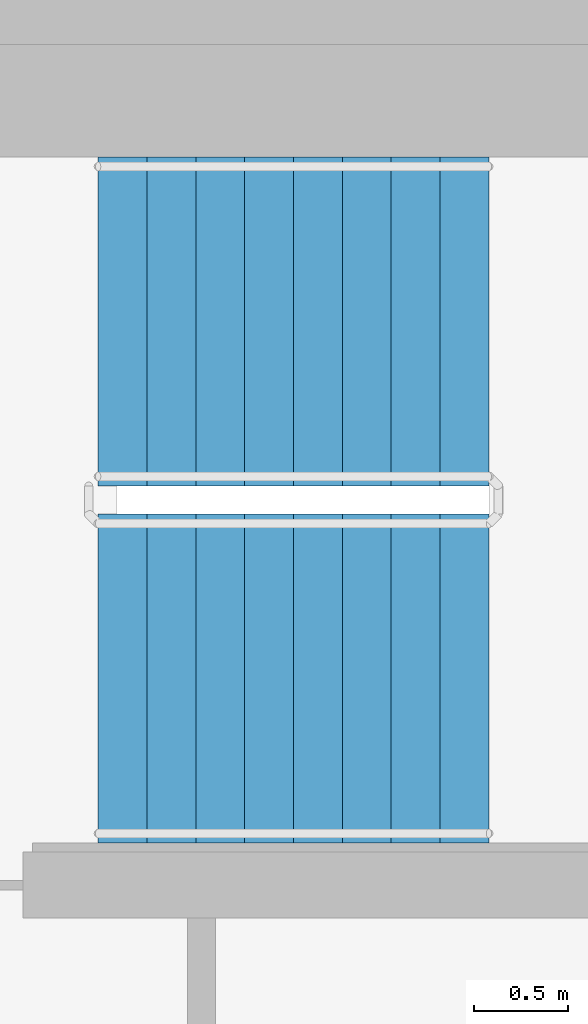
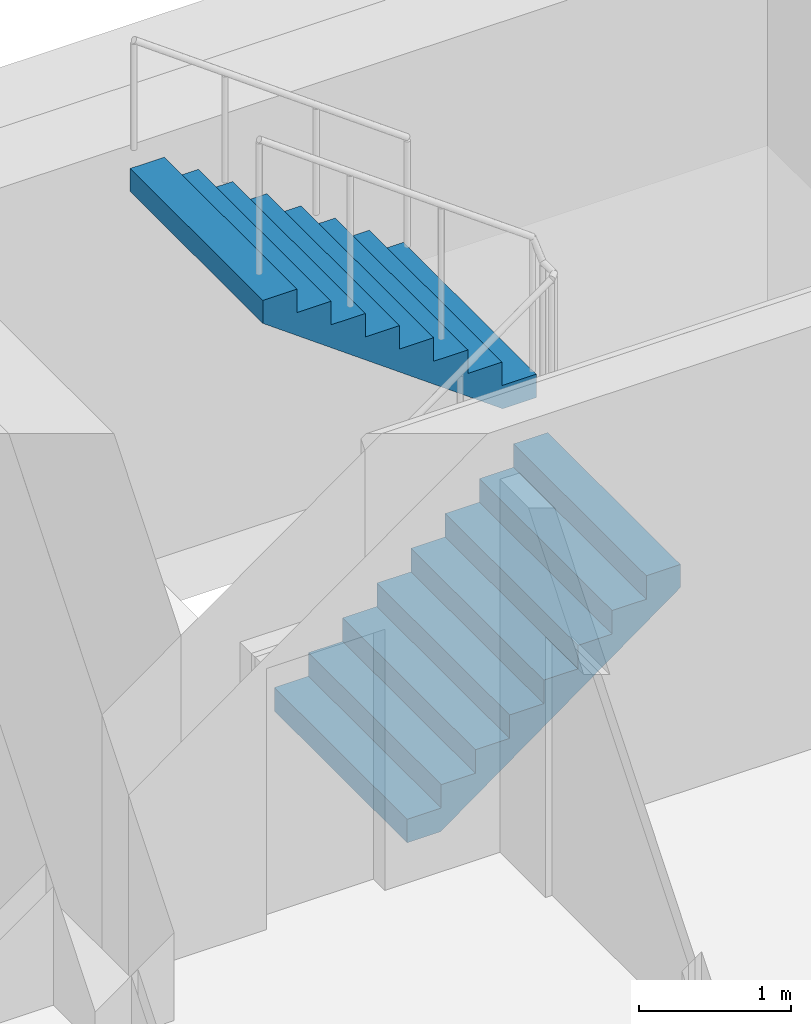
# One storey, part 13 of 18: 2 stair flights, 1 element without a shape of its own.
"""IFC4 building model written with IfcOpenShell, lengths in metres."""

from ifc_helpers import new_model, si_unit, direction, frame, origin, place, context, subcontext, project, spatial, faceted_brep, material, type_object, element, aggregate, save


model = new_model("IFC4")

# Units and contexts
model_context = context("Model", 3, precision=1e-05, world=origin(), true_north=direction((0.0, 1.0)))
body_context = subcontext(model_context, "Body", "Model", "MODEL_VIEW")
ifc_project = project(units=[si_unit("LENGTHUNIT", "METRE"), si_unit("AREAUNIT", "SQUARE_METRE"), si_unit("VOLUMEUNIT", "CUBIC_METRE"), si_unit("PLANEANGLEUNIT", "RADIAN"), si_unit("MASSUNIT", "GRAM", prefix="KILO")], contexts=[model_context])

# Site, building, storey
site_placement = place(None, origin())
site = spatial("IfcSite", under=ifc_project, at=site_placement, CompositionType="ELEMENT")
building_placement = place(site_placement, origin())
building = spatial("IfcBuilding", under=site, at=building_placement, Name="Ipe Terrace Towers", CompositionType="ELEMENT")
storey_placement = place(building_placement, frame((0.0, 0.0, 209.60009765625)))
storey = spatial("IfcBuildingStorey", under=building, at=storey_placement, Name="L58", CompositionType="ELEMENT", Elevation=209.60009765625)

# Stair, stair flights
ifc_material_1 = material(Name="Concrete C30/37", Category="concrete")
stair_type = type_object("IfcStairType", Name="Protected exit stair", PredefinedType="HALF_TURN_STAIR", material=ifc_material_1)
stair_placement = place(storey_placement, origin())
stair = element("IfcStair", 1, at=stair_placement, inside=storey, type_object=stair_type, Name="L58 Exit stair T1-C1", PredefinedType="HALF_TURN_STAIR")
ifc_material_2 = material(Name="Concrete C30/37", Category="concrete")
stair_flight_type = type_object("IfcStairFlightType", Name="Exit stair flight 1750", PredefinedType="STRAIGHT", material=ifc_material_2)
stair_flight_1_placement = place(storey_placement, frame((-26.300048828125, 2.77490234375, 0.0), z_axis=(0.0, 0.0, 1.0), x_axis=(1.0, 0.0, 0.0)))
stair_flight_1 = element("IfcStairFlight", 2, at=stair_flight_1_placement, type_object=stair_flight_type, Name="T1-ST1 flight 1", NumberOfRisers=9, NumberOfTreads=8, PredefinedType="STRAIGHT", RiserHeight=0.188888889, TreadLength=0.26, context=body_context, shape_type="Brep", body=[
    faceted_brep([(0.255126953125, -0.875, 0.0), (2.080078125, -0.875, 1.325927734375), (2.080078125, -0.875, 1.51123046875), (1.820068359375, -0.875, 1.51123046875), (1.820068359375, -0.875, 1.322265625), (1.56005859375, -0.875, 1.322265625), (1.56005859375, -0.875, 1.13330078125), (1.300048828125, -0.875, 1.13330078125), (1.300048828125, -0.875, 0.9443359375), (1.0400390625, -0.875, 0.9443359375), (1.0400390625, -0.875, 0.755615234375), (0.780029296875, -0.875, 0.755615234375), (0.780029296875, -0.875, 0.566650390625), (0.52001953125, -0.875, 0.566650390625), (0.52001953125, -0.875, 0.377685546875), (0.260009765625, -0.875, 0.377685546875), (0.260009765625, -0.875, 0.18896484375), (0.0, -0.875, 0.18896484375), (0.0, -0.875, 0.0), (0.0, 0.875, 0.0), (0.0, 0.875, 0.18896484375), (0.260009765625, 0.875, 0.18896484375), (0.260009765625, 0.875, 0.377685546875), (0.52001953125, 0.875, 0.377685546875), (0.52001953125, 0.875, 0.566650390625), (0.780029296875, 0.875, 0.566650390625), (0.780029296875, 0.875, 0.755615234375), (1.0400390625, 0.875, 0.755615234375), (1.0400390625, 0.875, 0.9443359375), (1.300048828125, 0.875, 0.9443359375), (1.300048828125, 0.875, 1.13330078125), (1.56005859375, 0.875, 1.13330078125), (1.56005859375, 0.875, 1.322265625), (1.820068359375, 0.875, 1.322265625), (1.820068359375, 0.875, 1.51123046875), (2.080078125, 0.875, 1.51123046875), (2.080078125, 0.875, 1.325927734375), (0.255126953125, 0.875, 0.0), (0.0, -0.300048828125, 0.18896484375), (0.0, -0.1201171875, 0.18896484375), (0.0, -0.06005859375, 0.18896484375), (0.0, -0.030029296875, 0.18896484375), (0.0, -0.010009765625, 0.18896484375), (0.0, 0.0, 0.18896484375), (0.0, 0.010009765625, 0.18896484375), (0.0, 0.030029296875, 0.18896484375), (0.0, 0.06005859375, 0.18896484375), (0.0, 0.1201171875, 0.18896484375), (0.0, 0.300048828125, 0.18896484375), (0.0, 0.300048828125, 0.0), (0.0, 0.1201171875, 0.0), (0.0, 0.06005859375, 0.0), (0.0, 0.030029296875, 0.0), (0.0, 0.010009765625, 0.0), (0.0, 0.0, 0.0), (0.0, -0.010009765625, 0.0), (0.0, -0.030029296875, 0.0), (0.0, -0.06005859375, 0.0), (0.0, -0.1201171875, 0.0), (0.0, -0.300048828125, 0.0), (0.260009765625, -0.300048828125, 0.18896484375), (0.260009765625, -0.1201171875, 0.18896484375), (0.260009765625, -0.06005859375, 0.18896484375), (0.260009765625, -0.030029296875, 0.18896484375), (0.260009765625, -0.010009765625, 0.18896484375), (0.260009765625, 0.0, 0.18896484375), (0.260009765625, 0.010009765625, 0.18896484375), (0.260009765625, 0.030029296875, 0.18896484375), (0.260009765625, 0.06005859375, 0.18896484375), (0.260009765625, 0.1201171875, 0.18896484375), (0.260009765625, 0.300048828125, 0.18896484375), (0.260009765625, -0.300048828125, 0.377685546875), (0.260009765625, -0.1201171875, 0.377685546875), (0.260009765625, -0.06005859375, 0.377685546875), (0.260009765625, -0.030029296875, 0.377685546875), (0.260009765625, -0.010009765625, 0.377685546875), (0.260009765625, 0.0, 0.377685546875), (0.260009765625, 0.010009765625, 0.377685546875), (0.260009765625, 0.030029296875, 0.377685546875), (0.260009765625, 0.06005859375, 0.377685546875), (0.260009765625, 0.1201171875, 0.377685546875), (0.260009765625, 0.300048828125, 0.377685546875), (0.52001953125, -0.300048828125, 0.377685546875), (0.52001953125, -0.1201171875, 0.377685546875), (0.52001953125, -0.06005859375, 0.377685546875), (0.52001953125, -0.030029296875, 0.377685546875), (0.52001953125, -0.010009765625, 0.377685546875), (0.52001953125, 0.0, 0.377685546875), (0.52001953125, 0.010009765625, 0.377685546875), (0.52001953125, 0.030029296875, 0.377685546875), (0.52001953125, 0.06005859375, 0.377685546875), (0.52001953125, 0.1201171875, 0.377685546875), (0.52001953125, 0.300048828125, 0.377685546875), (0.52001953125, -0.300048828125, 0.566650390625), (0.52001953125, -0.1201171875, 0.566650390625), (0.52001953125, -0.06005859375, 0.566650390625), (0.52001953125, -0.030029296875, 0.566650390625), (0.52001953125, -0.010009765625, 0.566650390625), (0.52001953125, 0.0, 0.566650390625), (0.52001953125, 0.010009765625, 0.566650390625), (0.52001953125, 0.030029296875, 0.566650390625), (0.52001953125, 0.06005859375, 0.566650390625), (0.52001953125, 0.1201171875, 0.566650390625), (0.52001953125, 0.300048828125, 0.566650390625), (0.780029296875, -0.300048828125, 0.566650390625), (0.780029296875, -0.1201171875, 0.566650390625), (0.780029296875, -0.06005859375, 0.566650390625), (0.780029296875, -0.030029296875, 0.566650390625), (0.780029296875, -0.010009765625, 0.566650390625), (0.780029296875, 0.0, 0.566650390625), (0.780029296875, 0.010009765625, 0.566650390625), (0.780029296875, 0.030029296875, 0.566650390625), (0.780029296875, 0.06005859375, 0.566650390625), (0.780029296875, 0.1201171875, 0.566650390625), (0.780029296875, 0.300048828125, 0.566650390625), (0.780029296875, -0.300048828125, 0.755615234375), (0.780029296875, -0.1201171875, 0.755615234375), (0.780029296875, -0.06005859375, 0.755615234375), (0.780029296875, -0.030029296875, 0.755615234375), (0.780029296875, -0.010009765625, 0.755615234375), (0.780029296875, 0.0, 0.755615234375), (0.780029296875, 0.010009765625, 0.755615234375), (0.780029296875, 0.030029296875, 0.755615234375), (0.780029296875, 0.06005859375, 0.755615234375), (0.780029296875, 0.1201171875, 0.755615234375), (0.780029296875, 0.300048828125, 0.755615234375), (1.0400390625, -0.300048828125, 0.755615234375), (1.0400390625, -0.1201171875, 0.755615234375), (1.0400390625, -0.06005859375, 0.755615234375), (1.0400390625, -0.030029296875, 0.755615234375), (1.0400390625, -0.010009765625, 0.755615234375), (1.0400390625, 0.0, 0.755615234375), (1.0400390625, 0.010009765625, 0.755615234375), (1.0400390625, 0.030029296875, 0.755615234375), (1.0400390625, 0.06005859375, 0.755615234375), (1.0400390625, 0.1201171875, 0.755615234375), (1.0400390625, 0.300048828125, 0.755615234375), (1.0400390625, -0.300048828125, 0.9443359375), (1.0400390625, -0.1201171875, 0.9443359375), (1.0400390625, -0.06005859375, 0.9443359375), (1.0400390625, -0.030029296875, 0.9443359375), (1.0400390625, -0.010009765625, 0.9443359375), (1.0400390625, 0.0, 0.9443359375), (1.0400390625, 0.010009765625, 0.9443359375), (1.0400390625, 0.030029296875, 0.9443359375), (1.0400390625, 0.06005859375, 0.9443359375), (1.0400390625, 0.1201171875, 0.9443359375), (1.0400390625, 0.300048828125, 0.9443359375), (1.300048828125, -0.300048828125, 0.9443359375), (1.300048828125, -0.1201171875, 0.9443359375), (1.300048828125, -0.06005859375, 0.9443359375), (1.300048828125, -0.030029296875, 0.9443359375), (1.300048828125, -0.010009765625, 0.9443359375), (1.300048828125, 0.0, 0.9443359375), (1.300048828125, 0.010009765625, 0.9443359375), (1.300048828125, 0.030029296875, 0.9443359375), (1.300048828125, 0.06005859375, 0.9443359375), (1.300048828125, 0.1201171875, 0.9443359375), (1.300048828125, 0.300048828125, 0.9443359375), (1.300048828125, -0.300048828125, 1.13330078125), (1.300048828125, -0.1201171875, 1.13330078125), (1.300048828125, -0.06005859375, 1.13330078125), (1.300048828125, -0.030029296875, 1.13330078125), (1.300048828125, -0.010009765625, 1.13330078125), (1.300048828125, 0.0, 1.13330078125), (1.300048828125, 0.010009765625, 1.13330078125), (1.300048828125, 0.030029296875, 1.13330078125), (1.300048828125, 0.06005859375, 1.13330078125), (1.300048828125, 0.1201171875, 1.13330078125), (1.300048828125, 0.300048828125, 1.13330078125), (1.56005859375, -0.300048828125, 1.13330078125), (1.56005859375, -0.1201171875, 1.13330078125), (1.56005859375, -0.06005859375, 1.13330078125), (1.56005859375, -0.030029296875, 1.13330078125), (1.56005859375, -0.010009765625, 1.13330078125), (1.56005859375, 0.0, 1.13330078125), (1.56005859375, 0.010009765625, 1.13330078125), (1.56005859375, 0.030029296875, 1.13330078125), (1.56005859375, 0.06005859375, 1.13330078125), (1.56005859375, 0.1201171875, 1.13330078125), (1.56005859375, 0.300048828125, 1.13330078125), (1.56005859375, -0.300048828125, 1.322265625), (1.56005859375, -0.1201171875, 1.322265625), (1.56005859375, -0.06005859375, 1.322265625), (1.56005859375, -0.030029296875, 1.322265625), (1.56005859375, -0.010009765625, 1.322265625), (1.56005859375, 0.0, 1.322265625), (1.56005859375, 0.010009765625, 1.322265625), (1.56005859375, 0.030029296875, 1.322265625), (1.56005859375, 0.06005859375, 1.322265625), (1.56005859375, 0.1201171875, 1.322265625), (1.56005859375, 0.300048828125, 1.322265625), (1.820068359375, -0.300048828125, 1.322265625), (1.820068359375, -0.1201171875, 1.322265625), (1.820068359375, -0.06005859375, 1.322265625), (1.820068359375, -0.030029296875, 1.322265625), (1.820068359375, -0.010009765625, 1.322265625), (1.820068359375, 0.0, 1.322265625), (1.820068359375, 0.010009765625, 1.322265625), (1.820068359375, 0.030029296875, 1.322265625), (1.820068359375, 0.06005859375, 1.322265625), (1.820068359375, 0.1201171875, 1.322265625), (1.820068359375, 0.300048828125, 1.322265625), (1.820068359375, -0.300048828125, 1.51123046875), (1.820068359375, -0.1201171875, 1.51123046875), (1.820068359375, -0.06005859375, 1.51123046875), (1.820068359375, -0.030029296875, 1.51123046875), (1.820068359375, -0.010009765625, 1.51123046875), (1.820068359375, 0.0, 1.51123046875), (1.820068359375, 0.010009765625, 1.51123046875), (1.820068359375, 0.030029296875, 1.51123046875), (1.820068359375, 0.06005859375, 1.51123046875), (1.820068359375, 0.1201171875, 1.51123046875), (1.820068359375, 0.300048828125, 1.51123046875), (2.080078125, -0.300048828125, 1.51123046875), (2.080078125, -0.1201171875, 1.51123046875), (2.080078125, -0.06005859375, 1.51123046875), (2.080078125, -0.030029296875, 1.51123046875), (2.080078125, -0.010009765625, 1.51123046875), (2.080078125, 0.0, 1.51123046875), (2.080078125, 0.010009765625, 1.51123046875), (2.080078125, 0.030029296875, 1.51123046875), (2.080078125, 0.06005859375, 1.51123046875), (2.080078125, 0.1201171875, 1.51123046875), (2.080078125, 0.300048828125, 1.51123046875), (2.080078125, -0.300048828125, 1.325927734375), (2.080078125, -0.1201171875, 1.325927734375), (2.080078125, -0.06005859375, 1.325927734375), (2.080078125, -0.030029296875, 1.325927734375), (2.080078125, -0.010009765625, 1.325927734375), (2.080078125, 0.0, 1.325927734375), (2.080078125, 0.010009765625, 1.325927734375), (2.080078125, 0.030029296875, 1.325927734375), (2.080078125, 0.06005859375, 1.325927734375), (2.080078125, 0.1201171875, 1.325927734375), (2.080078125, 0.300048828125, 1.325927734375), (0.255126953125, -0.300048828125, 0.0), (0.255126953125, -0.1201171875, 0.0), (0.255126953125, -0.06005859375, 0.0), (0.255126953125, -0.030029296875, 0.0), (0.255126953125, -0.010009765625, 0.0), (0.255126953125, 0.0, 0.0), (0.255126953125, 0.010009765625, 0.0), (0.255126953125, 0.030029296875, 0.0), (0.255126953125, 0.06005859375, 0.0), (0.255126953125, 0.1201171875, 0.0), (0.255126953125, 0.300048828125, 0.0)], [[[0, 1, 2, 3, 4, 5, 6, 7, 8, 9, 10, 11, 12, 13, 14, 15, 16, 17, 18]], [[19, 20, 21, 22, 23, 24, 25, 26, 27, 28, 29, 30, 31, 32, 33, 34, 35, 36, 37]], [[17, 38, 39, 40, 41, 42, 43, 44, 45, 46, 47, 48, 20, 19, 49, 50, 51, 52, 53, 54, 55, 56, 57, 58, 59, 18]], [[16, 60, 61, 62, 63, 64, 65, 66, 67, 68, 69, 70, 21, 20, 48, 47, 46, 45, 44, 43, 42, 41, 40, 39, 38, 17]], [[15, 71, 72, 73, 74, 75, 76, 77, 78, 79, 80, 81, 22, 21, 70, 69, 68, 67, 66, 65, 64, 63, 62, 61, 60, 16]], [[14, 82, 83, 84, 85, 86, 87, 88, 89, 90, 91, 92, 23, 22, 81, 80, 79, 78, 77, 76, 75, 74, 73, 72, 71, 15]], [[13, 93, 94, 95, 96, 97, 98, 99, 100, 101, 102, 103, 24, 23, 92, 91, 90, 89, 88, 87, 86, 85, 84, 83, 82, 14]], [[12, 104, 105, 106, 107, 108, 109, 110, 111, 112, 113, 114, 25, 24, 103, 102, 101, 100, 99, 98, 97, 96, 95, 94, 93, 13]], [[11, 115, 116, 117, 118, 119, 120, 121, 122, 123, 124, 125, 26, 25, 114, 113, 112, 111, 110, 109, 108, 107, 106, 105, 104, 12]], [[10, 126, 127, 128, 129, 130, 131, 132, 133, 134, 135, 136, 27, 26, 125, 124, 123, 122, 121, 120, 119, 118, 117, 116, 115, 11]], [[9, 137, 138, 139, 140, 141, 142, 143, 144, 145, 146, 147, 28, 27, 136, 135, 134, 133, 132, 131, 130, 129, 128, 127, 126, 10]], [[8, 148, 149, 150, 151, 152, 153, 154, 155, 156, 157, 158, 29, 28, 147, 146, 145, 144, 143, 142, 141, 140, 139, 138, 137, 9]], [[7, 159, 160, 161, 162, 163, 164, 165, 166, 167, 168, 169, 30, 29, 158, 157, 156, 155, 154, 153, 152, 151, 150, 149, 148, 8]], [[6, 170, 171, 172, 173, 174, 175, 176, 177, 178, 179, 180, 31, 30, 169, 168, 167, 166, 165, 164, 163, 162, 161, 160, 159, 7]], [[5, 181, 182, 183, 184, 185, 186, 187, 188, 189, 190, 191, 32, 31, 180, 179, 178, 177, 176, 175, 174, 173, 172, 171, 170, 6]], [[4, 192, 193, 194, 195, 196, 197, 198, 199, 200, 201, 202, 33, 32, 191, 190, 189, 188, 187, 186, 185, 184, 183, 182, 181, 5]], [[3, 203, 204, 205, 206, 207, 208, 209, 210, 211, 212, 213, 34, 33, 202, 201, 200, 199, 198, 197, 196, 195, 194, 193, 192, 4]], [[2, 214, 215, 216, 217, 218, 219, 220, 221, 222, 223, 224, 35, 34, 213, 212, 211, 210, 209, 208, 207, 206, 205, 204, 203, 3]], [[1, 225, 226, 227, 228, 229, 230, 231, 232, 233, 234, 235, 36, 35, 224, 223, 222, 221, 220, 219, 218, 217, 216, 215, 214, 2]], [[0, 236, 237, 238, 239, 240, 241, 242, 243, 244, 245, 246, 37, 36, 235, 234, 233, 232, 231, 230, 229, 228, 227, 226, 225, 1]], [[18, 59, 58, 57, 56, 55, 54, 53, 52, 51, 50, 49, 19, 37, 246, 245, 244, 243, 242, 241, 240, 239, 238, 237, 236, 0]]]),
])
stair_flight_2_placement = place(storey_placement, frame((-24.219970703125, 4.675048828125, 1.699951171875), z_axis=(0.0, 0.0, 1.0), x_axis=(-1.0, 0.0, 0.0)))
stair_flight_2 = element("IfcStairFlight", 3, at=stair_flight_2_placement, type_object=stair_flight_type, Name="T1-ST1 flight 2", NumberOfRisers=9, NumberOfTreads=8, PredefinedType="STRAIGHT", RiserHeight=0.188888889, TreadLength=0.26, context=body_context, shape_type="Brep", body=[
    faceted_brep([(0.255126953125, -0.875, 0.0), (2.080078125, -0.875, 1.325927734375), (2.080078125, -0.875, 1.51123046875), (1.820068359375, -0.875, 1.51123046875), (1.820068359375, -0.875, 1.322265625), (1.56005859375, -0.875, 1.322265625), (1.56005859375, -0.875, 1.13330078125), (1.300048828125, -0.875, 1.13330078125), (1.300048828125, -0.875, 0.9443359375), (1.0400390625, -0.875, 0.9443359375), (1.0400390625, -0.875, 0.755615234375), (0.780029296875, -0.875, 0.755615234375), (0.780029296875, -0.875, 0.566650390625), (0.52001953125, -0.875, 0.566650390625), (0.52001953125, -0.875, 0.377685546875), (0.260009765625, -0.875, 0.377685546875), (0.260009765625, -0.875, 0.18896484375), (0.0, -0.875, 0.18896484375), (0.0, -0.875, 0.0), (0.0, 0.875, 0.0), (0.0, 0.875, 0.18896484375), (0.260009765625, 0.875, 0.18896484375), (0.260009765625, 0.875, 0.377685546875), (0.52001953125, 0.875, 0.377685546875), (0.52001953125, 0.875, 0.566650390625), (0.780029296875, 0.875, 0.566650390625), (0.780029296875, 0.875, 0.755615234375), (1.0400390625, 0.875, 0.755615234375), (1.0400390625, 0.875, 0.9443359375), (1.300048828125, 0.875, 0.9443359375), (1.300048828125, 0.875, 1.13330078125), (1.56005859375, 0.875, 1.13330078125), (1.56005859375, 0.875, 1.322265625), (1.820068359375, 0.875, 1.322265625), (1.820068359375, 0.875, 1.51123046875), (2.080078125, 0.875, 1.51123046875), (2.080078125, 0.875, 1.325927734375), (0.255126953125, 0.875, 0.0), (0.0, -0.300048828125, 0.18896484375), (0.0, -0.1201171875, 0.18896484375), (0.0, -0.06005859375, 0.18896484375), (0.0, -0.030029296875, 0.18896484375), (0.0, -0.010009765625, 0.18896484375), (0.0, 0.0, 0.18896484375), (0.0, 0.010009765625, 0.18896484375), (0.0, 0.030029296875, 0.18896484375), (0.0, 0.06005859375, 0.18896484375), (0.0, 0.1201171875, 0.18896484375), (0.0, 0.300048828125, 0.18896484375), (0.0, 0.300048828125, 0.0), (0.0, 0.1201171875, 0.0), (0.0, 0.06005859375, 0.0), (0.0, 0.030029296875, 0.0), (0.0, 0.010009765625, 0.0), (0.0, 0.0, 0.0), (0.0, -0.010009765625, 0.0), (0.0, -0.030029296875, 0.0), (0.0, -0.06005859375, 0.0), (0.0, -0.1201171875, 0.0), (0.0, -0.300048828125, 0.0), (0.260009765625, -0.300048828125, 0.18896484375), (0.260009765625, -0.1201171875, 0.18896484375), (0.260009765625, -0.06005859375, 0.18896484375), (0.260009765625, -0.030029296875, 0.18896484375), (0.260009765625, -0.010009765625, 0.18896484375), (0.260009765625, 0.0, 0.18896484375), (0.260009765625, 0.010009765625, 0.18896484375), (0.260009765625, 0.030029296875, 0.18896484375), (0.260009765625, 0.06005859375, 0.18896484375), (0.260009765625, 0.1201171875, 0.18896484375), (0.260009765625, 0.300048828125, 0.18896484375), (0.260009765625, -0.300048828125, 0.377685546875), (0.260009765625, -0.1201171875, 0.377685546875), (0.260009765625, -0.06005859375, 0.377685546875), (0.260009765625, -0.030029296875, 0.377685546875), (0.260009765625, -0.010009765625, 0.377685546875), (0.260009765625, 0.0, 0.377685546875), (0.260009765625, 0.010009765625, 0.377685546875), (0.260009765625, 0.030029296875, 0.377685546875), (0.260009765625, 0.06005859375, 0.377685546875), (0.260009765625, 0.1201171875, 0.377685546875), (0.260009765625, 0.300048828125, 0.377685546875), (0.52001953125, -0.300048828125, 0.377685546875), (0.52001953125, -0.1201171875, 0.377685546875), (0.52001953125, -0.06005859375, 0.377685546875), (0.52001953125, -0.030029296875, 0.377685546875), (0.52001953125, -0.010009765625, 0.377685546875), (0.52001953125, 0.0, 0.377685546875), (0.52001953125, 0.010009765625, 0.377685546875), (0.52001953125, 0.030029296875, 0.377685546875), (0.52001953125, 0.06005859375, 0.377685546875), (0.52001953125, 0.1201171875, 0.377685546875), (0.52001953125, 0.300048828125, 0.377685546875), (0.52001953125, -0.300048828125, 0.566650390625), (0.52001953125, -0.1201171875, 0.566650390625), (0.52001953125, -0.06005859375, 0.566650390625), (0.52001953125, -0.030029296875, 0.566650390625), (0.52001953125, -0.010009765625, 0.566650390625), (0.52001953125, 0.0, 0.566650390625), (0.52001953125, 0.010009765625, 0.566650390625), (0.52001953125, 0.030029296875, 0.566650390625), (0.52001953125, 0.06005859375, 0.566650390625), (0.52001953125, 0.1201171875, 0.566650390625), (0.52001953125, 0.300048828125, 0.566650390625), (0.780029296875, -0.300048828125, 0.566650390625), (0.780029296875, -0.1201171875, 0.566650390625), (0.780029296875, -0.06005859375, 0.566650390625), (0.780029296875, -0.030029296875, 0.566650390625), (0.780029296875, -0.010009765625, 0.566650390625), (0.780029296875, 0.0, 0.566650390625), (0.780029296875, 0.010009765625, 0.566650390625), (0.780029296875, 0.030029296875, 0.566650390625), (0.780029296875, 0.06005859375, 0.566650390625), (0.780029296875, 0.1201171875, 0.566650390625), (0.780029296875, 0.300048828125, 0.566650390625), (0.780029296875, -0.300048828125, 0.755615234375), (0.780029296875, -0.1201171875, 0.755615234375), (0.780029296875, -0.06005859375, 0.755615234375), (0.780029296875, -0.030029296875, 0.755615234375), (0.780029296875, -0.010009765625, 0.755615234375), (0.780029296875, 0.0, 0.755615234375), (0.780029296875, 0.010009765625, 0.755615234375), (0.780029296875, 0.030029296875, 0.755615234375), (0.780029296875, 0.06005859375, 0.755615234375), (0.780029296875, 0.1201171875, 0.755615234375), (0.780029296875, 0.300048828125, 0.755615234375), (1.0400390625, -0.300048828125, 0.755615234375), (1.0400390625, -0.1201171875, 0.755615234375), (1.0400390625, -0.06005859375, 0.755615234375), (1.0400390625, -0.030029296875, 0.755615234375), (1.0400390625, -0.010009765625, 0.755615234375), (1.0400390625, 0.0, 0.755615234375), (1.0400390625, 0.010009765625, 0.755615234375), (1.0400390625, 0.030029296875, 0.755615234375), (1.0400390625, 0.06005859375, 0.755615234375), (1.0400390625, 0.1201171875, 0.755615234375), (1.0400390625, 0.300048828125, 0.755615234375), (1.0400390625, -0.300048828125, 0.9443359375), (1.0400390625, -0.1201171875, 0.9443359375), (1.0400390625, -0.06005859375, 0.9443359375), (1.0400390625, -0.030029296875, 0.9443359375), (1.0400390625, -0.010009765625, 0.9443359375), (1.0400390625, 0.0, 0.9443359375), (1.0400390625, 0.010009765625, 0.9443359375), (1.0400390625, 0.030029296875, 0.9443359375), (1.0400390625, 0.06005859375, 0.9443359375), (1.0400390625, 0.1201171875, 0.9443359375), (1.0400390625, 0.300048828125, 0.9443359375), (1.300048828125, -0.300048828125, 0.9443359375), (1.300048828125, -0.1201171875, 0.9443359375), (1.300048828125, -0.06005859375, 0.9443359375), (1.300048828125, -0.030029296875, 0.9443359375), (1.300048828125, -0.010009765625, 0.9443359375), (1.300048828125, 0.0, 0.9443359375), (1.300048828125, 0.010009765625, 0.9443359375), (1.300048828125, 0.030029296875, 0.9443359375), (1.300048828125, 0.06005859375, 0.9443359375), (1.300048828125, 0.1201171875, 0.9443359375), (1.300048828125, 0.300048828125, 0.9443359375), (1.300048828125, -0.300048828125, 1.13330078125), (1.300048828125, -0.1201171875, 1.13330078125), (1.300048828125, -0.06005859375, 1.13330078125), (1.300048828125, -0.030029296875, 1.13330078125), (1.300048828125, -0.010009765625, 1.13330078125), (1.300048828125, 0.0, 1.13330078125), (1.300048828125, 0.010009765625, 1.13330078125), (1.300048828125, 0.030029296875, 1.13330078125), (1.300048828125, 0.06005859375, 1.13330078125), (1.300048828125, 0.1201171875, 1.13330078125), (1.300048828125, 0.300048828125, 1.13330078125), (1.56005859375, -0.300048828125, 1.13330078125), (1.56005859375, -0.1201171875, 1.13330078125), (1.56005859375, -0.06005859375, 1.13330078125), (1.56005859375, -0.030029296875, 1.13330078125), (1.56005859375, -0.010009765625, 1.13330078125), (1.56005859375, 0.0, 1.13330078125), (1.56005859375, 0.010009765625, 1.13330078125), (1.56005859375, 0.030029296875, 1.13330078125), (1.56005859375, 0.06005859375, 1.13330078125), (1.56005859375, 0.1201171875, 1.13330078125), (1.56005859375, 0.300048828125, 1.13330078125), (1.56005859375, -0.300048828125, 1.322265625), (1.56005859375, -0.1201171875, 1.322265625), (1.56005859375, -0.06005859375, 1.322265625), (1.56005859375, -0.030029296875, 1.322265625), (1.56005859375, -0.010009765625, 1.322265625), (1.56005859375, 0.0, 1.322265625), (1.56005859375, 0.010009765625, 1.322265625), (1.56005859375, 0.030029296875, 1.322265625), (1.56005859375, 0.06005859375, 1.322265625), (1.56005859375, 0.1201171875, 1.322265625), (1.56005859375, 0.300048828125, 1.322265625), (1.820068359375, -0.300048828125, 1.322265625), (1.820068359375, -0.1201171875, 1.322265625), (1.820068359375, -0.06005859375, 1.322265625), (1.820068359375, -0.030029296875, 1.322265625), (1.820068359375, -0.010009765625, 1.322265625), (1.820068359375, 0.0, 1.322265625), (1.820068359375, 0.010009765625, 1.322265625), (1.820068359375, 0.030029296875, 1.322265625), (1.820068359375, 0.06005859375, 1.322265625), (1.820068359375, 0.1201171875, 1.322265625), (1.820068359375, 0.300048828125, 1.322265625), (1.820068359375, -0.300048828125, 1.51123046875), (1.820068359375, -0.1201171875, 1.51123046875), (1.820068359375, -0.06005859375, 1.51123046875), (1.820068359375, -0.030029296875, 1.51123046875), (1.820068359375, -0.010009765625, 1.51123046875), (1.820068359375, 0.0, 1.51123046875), (1.820068359375, 0.010009765625, 1.51123046875), (1.820068359375, 0.030029296875, 1.51123046875), (1.820068359375, 0.06005859375, 1.51123046875), (1.820068359375, 0.1201171875, 1.51123046875), (1.820068359375, 0.300048828125, 1.51123046875), (2.080078125, -0.300048828125, 1.51123046875), (2.080078125, -0.1201171875, 1.51123046875), (2.080078125, -0.06005859375, 1.51123046875), (2.080078125, -0.030029296875, 1.51123046875), (2.080078125, -0.010009765625, 1.51123046875), (2.080078125, 0.0, 1.51123046875), (2.080078125, 0.010009765625, 1.51123046875), (2.080078125, 0.030029296875, 1.51123046875), (2.080078125, 0.06005859375, 1.51123046875), (2.080078125, 0.1201171875, 1.51123046875), (2.080078125, 0.300048828125, 1.51123046875), (2.080078125, -0.300048828125, 1.325927734375), (2.080078125, -0.1201171875, 1.325927734375), (2.080078125, -0.06005859375, 1.325927734375), (2.080078125, -0.030029296875, 1.325927734375), (2.080078125, -0.010009765625, 1.325927734375), (2.080078125, 0.0, 1.325927734375), (2.080078125, 0.010009765625, 1.325927734375), (2.080078125, 0.030029296875, 1.325927734375), (2.080078125, 0.06005859375, 1.325927734375), (2.080078125, 0.1201171875, 1.325927734375), (2.080078125, 0.300048828125, 1.325927734375), (0.255126953125, -0.300048828125, 0.0), (0.255126953125, -0.1201171875, 0.0), (0.255126953125, -0.06005859375, 0.0), (0.255126953125, -0.030029296875, 0.0), (0.255126953125, -0.010009765625, 0.0), (0.255126953125, 0.0, 0.0), (0.255126953125, 0.010009765625, 0.0), (0.255126953125, 0.030029296875, 0.0), (0.255126953125, 0.06005859375, 0.0), (0.255126953125, 0.1201171875, 0.0), (0.255126953125, 0.300048828125, 0.0)], [[[0, 1, 2, 3, 4, 5, 6, 7, 8, 9, 10, 11, 12, 13, 14, 15, 16, 17, 18]], [[19, 20, 21, 22, 23, 24, 25, 26, 27, 28, 29, 30, 31, 32, 33, 34, 35, 36, 37]], [[17, 38, 39, 40, 41, 42, 43, 44, 45, 46, 47, 48, 20, 19, 49, 50, 51, 52, 53, 54, 55, 56, 57, 58, 59, 18]], [[16, 60, 61, 62, 63, 64, 65, 66, 67, 68, 69, 70, 21, 20, 48, 47, 46, 45, 44, 43, 42, 41, 40, 39, 38, 17]], [[15, 71, 72, 73, 74, 75, 76, 77, 78, 79, 80, 81, 22, 21, 70, 69, 68, 67, 66, 65, 64, 63, 62, 61, 60, 16]], [[14, 82, 83, 84, 85, 86, 87, 88, 89, 90, 91, 92, 23, 22, 81, 80, 79, 78, 77, 76, 75, 74, 73, 72, 71, 15]], [[13, 93, 94, 95, 96, 97, 98, 99, 100, 101, 102, 103, 24, 23, 92, 91, 90, 89, 88, 87, 86, 85, 84, 83, 82, 14]], [[12, 104, 105, 106, 107, 108, 109, 110, 111, 112, 113, 114, 25, 24, 103, 102, 101, 100, 99, 98, 97, 96, 95, 94, 93, 13]], [[11, 115, 116, 117, 118, 119, 120, 121, 122, 123, 124, 125, 26, 25, 114, 113, 112, 111, 110, 109, 108, 107, 106, 105, 104, 12]], [[10, 126, 127, 128, 129, 130, 131, 132, 133, 134, 135, 136, 27, 26, 125, 124, 123, 122, 121, 120, 119, 118, 117, 116, 115, 11]], [[9, 137, 138, 139, 140, 141, 142, 143, 144, 145, 146, 147, 28, 27, 136, 135, 134, 133, 132, 131, 130, 129, 128, 127, 126, 10]], [[8, 148, 149, 150, 151, 152, 153, 154, 155, 156, 157, 158, 29, 28, 147, 146, 145, 144, 143, 142, 141, 140, 139, 138, 137, 9]], [[7, 159, 160, 161, 162, 163, 164, 165, 166, 167, 168, 169, 30, 29, 158, 157, 156, 155, 154, 153, 152, 151, 150, 149, 148, 8]], [[6, 170, 171, 172, 173, 174, 175, 176, 177, 178, 179, 180, 31, 30, 169, 168, 167, 166, 165, 164, 163, 162, 161, 160, 159, 7]], [[5, 181, 182, 183, 184, 185, 186, 187, 188, 189, 190, 191, 32, 31, 180, 179, 178, 177, 176, 175, 174, 173, 172, 171, 170, 6]], [[4, 192, 193, 194, 195, 196, 197, 198, 199, 200, 201, 202, 33, 32, 191, 190, 189, 188, 187, 186, 185, 184, 183, 182, 181, 5]], [[3, 203, 204, 205, 206, 207, 208, 209, 210, 211, 212, 213, 34, 33, 202, 201, 200, 199, 198, 197, 196, 195, 194, 193, 192, 4]], [[2, 214, 215, 216, 217, 218, 219, 220, 221, 222, 223, 224, 35, 34, 213, 212, 211, 210, 209, 208, 207, 206, 205, 204, 203, 3]], [[1, 225, 226, 227, 228, 229, 230, 231, 232, 233, 234, 235, 36, 35, 224, 223, 222, 221, 220, 219, 218, 217, 216, 215, 214, 2]], [[0, 236, 237, 238, 239, 240, 241, 242, 243, 244, 245, 246, 37, 36, 235, 234, 233, 232, 231, 230, 229, 228, 227, 226, 225, 1]], [[18, 59, 58, 57, 56, 55, 54, 53, 52, 51, 50, 49, 19, 37, 246, 245, 244, 243, 242, 241, 240, 239, 238, 237, 236, 0]]]),
])
aggregate(stair, [stair_flight_1, stair_flight_2])

save(model, "model.ifc")
